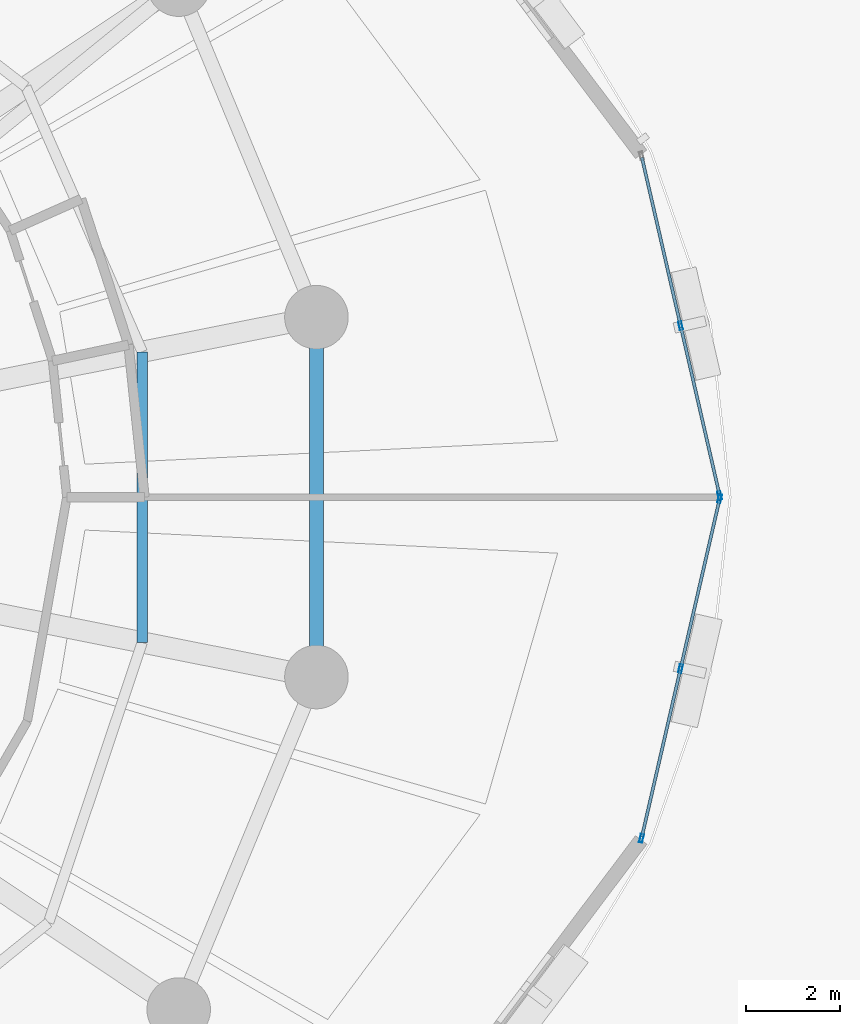
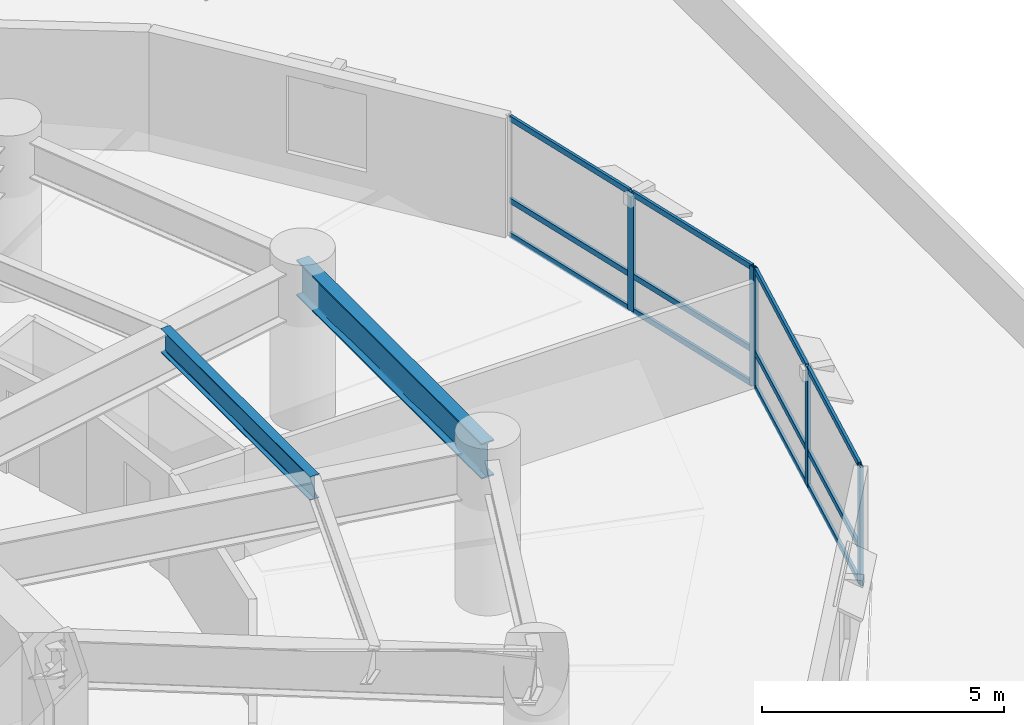
# One storey, part 4 of 15: 17 members, 2 beams, 2 elements without a shape of their own.
"""IFC4 building model written with IfcOpenShell, lengths in metres."""

from ifc_helpers import new_model, si_unit, direction, frame, origin, origin_2d, place, context, subcontext, project, spatial, hollow_rectangle, i_section, extrude, material, layer, layer_set, material_profile, profile_set, type_object, element, aggregate, save


model = new_model("IFC4")

# Units and contexts
model_context = context("Model", 3, precision=1e-05, world=origin(), true_north=direction((0.0, 1.0)))
body_context = subcontext(model_context, "Body", "Model", "MODEL_VIEW")
ifc_project = project(units=[si_unit("LENGTHUNIT", "METRE"), si_unit("AREAUNIT", "SQUARE_METRE"), si_unit("VOLUMEUNIT", "CUBIC_METRE"), si_unit("PLANEANGLEUNIT", "RADIAN"), si_unit("MASSUNIT", "GRAM", prefix="KILO"), si_unit("THERMODYNAMICTEMPERATUREUNIT", "KELVIN"), si_unit("POWERUNIT", "WATT")], contexts=[model_context])

# Site, building, storey
site_placement = place(None, origin())
site = spatial("IfcSite", under=ifc_project, at=site_placement, CompositionType="ELEMENT")
building_placement = place(site_placement, origin())
building = spatial("IfcBuilding", under=site, at=building_placement, Name="Ocrelia Relay Tower", CompositionType="ELEMENT")
storey_placement = place(building_placement, frame((0.0, 0.0, 30.0)))
storey = spatial("IfcBuildingStorey", under=building, at=storey_placement, Name="L06", CompositionType="ELEMENT", Elevation=30.0)

# Beams
ifc_material_1 = material(Name="Steel S355", Category="steel")
ifc_material_profile_1 = material_profile(ifc_material_1, i_section(OverallWidth=0.300048828125, OverallDepth=0.89990234375, WebThickness=0.0185546875, FlangeThickness=0.034912109375, FilletRadius=0.030029296875, at=origin_2d()), Name="HEB 900")
ifc_profile_set_1 = profile_set([ifc_material_profile_1], Name="Steel S355")
beam_type_1 = type_object("IfcBeamType", Name="BM-HEB900", PredefinedType="BEAM", material=ifc_profile_set_1)
beam_1_placement = place(storey_placement, frame((53.223388671875, 22.17626953125, 3.469970703125), z_axis=(0.0, 1.0, 0.0), x_axis=(-1.0, 0.0, 0.0)))
element("IfcBeam", 1, at=beam_1_placement, inside=storey, type_object=beam_type_1, Name="L06 Perimeter Spandrel Beam S16", PredefinedType="BEAM", context=body_context, shape_type="SweptSolid", body=[
    extrude(i_section(OverallWidth=0.300048828125, OverallDepth=0.89990234375, WebThickness=0.0185546875, FlangeThickness=0.034912109375, FilletRadius=0.030029296875, at=origin_2d()), origin(), (0.0, 0.0, 1.0), 7.6474609375),
])
ifc_material_profile_2 = material_profile(ifc_material_1, i_section(OverallWidth=0.219970703125, OverallDepth=0.60009765625, WebThickness=0.011962890625, FlangeThickness=0.01904296875, FilletRadius=0.02392578125, at=origin_2d()), Name="IPE 600")
ifc_profile_set_2 = profile_set([ifc_material_profile_2], Name="Steel S355")
beam_type_2 = type_object("IfcBeamType", Name="BM-IPE600", PredefinedType="JOIST", material=ifc_profile_set_2)
beam_2_placement = place(storey_placement, frame((49.521484375, 22.91259765625, 3.6201171875), z_axis=(0.0, 1.0, 0.0), x_axis=(-1.0, 0.0, 0.0)))
element("IfcBeam", 2, at=beam_2_placement, inside=storey, type_object=beam_type_2, Name="L06 Secondary Floor Joist J16", PredefinedType="JOIST", context=body_context, shape_type="SweptSolid", body=[
    extrude(i_section(OverallWidth=0.219970703125, OverallDepth=0.60009765625, WebThickness=0.011962890625, FlangeThickness=0.01904296875, FilletRadius=0.02392578125, at=origin_2d()), origin(), (0.0, 0.0, 1.0), 6.1748046875),
])

# Curtain wall, members
ifc_material_2 = material(Name="Aluminium and solar-control low-E glass", Category="aluminium")
ifc_layer = layer(ifc_material_2, 0.179931640625, Name="Aluminium and solar-control low-E glass")
ifc_layer_set = layer_set([ifc_layer], Name="Aluminium and solar-control low-E glass")
curtain_wall_type = type_object("IfcCurtainWallType", Name="CW-SYS-Z1-DATA", PredefinedType="NOTDEFINED", material=ifc_layer_set)
curtain_wall_1_placement = place(storey_placement, origin())
curtain_wall_1 = element("IfcCurtainWall", 3, at=curtain_wall_1_placement, inside=storey, type_object=curtain_wall_type, Name="L06 Elliptical Tower Curtain Wall Bay 01", PredefinedType="NOTDEFINED")
ifc_material_3 = material(Name="Anodised bronze aluminium", Category="aluminium")
ifc_material_profile_3 = material_profile(ifc_material_3, hollow_rectangle(XDim=0.070068359375, YDim=0.179931640625, WallThickness=0.006103515625, at=origin_2d()), Name="CW-MUL-180x70")
ifc_profile_set_3 = profile_set([ifc_material_profile_3], Name="Anodised bronze aluminium")
member_type_1 = type_object("IfcMemberType", Name="CW-SYS-Z1-DATA-MUL", PredefinedType="MULLION", material=ifc_profile_set_3)
member_1_placement = place(storey_placement, frame((61.792236328125, 26.0341796875, 0.0), z_axis=(0.0, 0.0, 1.0), x_axis=(-0.974527418542, -0.224268389459, 0.0)))
member_1 = element("IfcMember", 4, at=member_1_placement, type_object=member_type_1, Name="CW-Z1 mullion 1", PredefinedType="MULLION", context=body_context, shape_type="SweptSolid", body=[
    extrude(hollow_rectangle(XDim=0.070068359375, YDim=0.179931640625, WallThickness=0.006103515625, at=origin_2d()), origin(), (0.0, 0.0, 1.0), 3.0),
])
member_2_placement = place(storey_placement, frame((60.961669921875, 29.642578125, 0.0), z_axis=(0.0, 0.0, 1.0), x_axis=(-0.974527418542, -0.224268389459, 0.0)))
member_2 = element("IfcMember", 5, at=member_2_placement, type_object=member_type_1, Name="CW-Z1 mullion 2", PredefinedType="MULLION", context=body_context, shape_type="SweptSolid", body=[
    extrude(hollow_rectangle(XDim=0.070068359375, YDim=0.179931640625, WallThickness=0.006103515625, at=origin_2d()), origin(), (0.0, 0.0, 1.0), 3.0),
])

curtain_wall_2_placement = place(storey_placement, origin())
curtain_wall_2 = element("IfcCurtainWall", 6, at=curtain_wall_2_placement, inside=storey, type_object=curtain_wall_type, Name="L06 Elliptical Tower Curtain Wall Bay 18", PredefinedType="NOTDEFINED")
member_3_placement = place(storey_placement, frame((60.13134765625, 18.7490234375, 0.0), z_axis=(0.0, 0.0, 1.0), x_axis=(-0.974527418542, 0.224268389459, 0.0)))
member_3 = element("IfcMember", 7, at=member_3_placement, type_object=member_type_1, Name="CW-Z1 mullion 1", PredefinedType="MULLION", context=body_context, shape_type="SweptSolid", body=[
    extrude(hollow_rectangle(XDim=0.070068359375, YDim=0.179931640625, WallThickness=0.006103515625, at=origin_2d()), origin(), (0.0, 0.0, 1.0), 3.0),
])
member_4_placement = place(storey_placement, frame((60.961669921875, 22.357421875, 0.0), z_axis=(0.0, 0.0, 1.0), x_axis=(-0.974527418542, 0.224268389459, 0.0)))
member_4 = element("IfcMember", 8, at=member_4_placement, type_object=member_type_1, Name="CW-Z1 mullion 2", PredefinedType="MULLION", context=body_context, shape_type="SweptSolid", body=[
    extrude(hollow_rectangle(XDim=0.070068359375, YDim=0.179931640625, WallThickness=0.006103515625, at=origin_2d()), origin(), (0.0, 0.0, 1.0), 3.0),
])
member_5_placement = place(storey_placement, frame((61.792236328125, 25.9658203125, 0.0), z_axis=(0.0, 0.0, 1.0), x_axis=(-0.974527418542, 0.224268389459, 0.0)))
member_5 = element("IfcMember", 9, at=member_5_placement, type_object=member_type_1, Name="CW-Z1 mullion 3", PredefinedType="MULLION", context=body_context, shape_type="SweptSolid", body=[
    extrude(hollow_rectangle(XDim=0.070068359375, YDim=0.179931640625, WallThickness=0.006103515625, at=origin_2d()), origin(), (0.0, 0.0, 1.0), 3.0),
])

# Member
ifc_material_profile_4 = material_profile(ifc_material_3, hollow_rectangle(XDim=0.06494140625, YDim=0.139892578125, WallThickness=0.0048828125, at=origin_2d()), Name="CW-TRN-140x65")
ifc_profile_set_4 = profile_set([ifc_material_profile_4], Name="Anodised bronze aluminium")
member_type_2 = type_object("IfcMemberType", Name="CW-SYS-Z1-DATA-TRN", PredefinedType="USERDEFINED", material=ifc_profile_set_4)
member_6_placement = place(storey_placement, frame((61.7841796875, 26.068115234375, 0.032470703125), z_axis=(-0.224260666596, 0.974529195775, 0.0), x_axis=(-0.974529195775, -0.224260666596, 0.0)))
member_6 = element("IfcMember", 10, at=member_6_placement, type_object=member_type_2, Name="CW-Z1 transom 1.1", ObjectType="TRANSOM", PredefinedType="USERDEFINED", context=body_context, shape_type="SweptSolid", body=[
    extrude(hollow_rectangle(XDim=0.06494140625, YDim=0.139892578125, WallThickness=0.0048828125, at=origin_2d()), origin(), (0.0, 0.0, 1.0), 3.6328125),
])

member_7_placement = place(storey_placement, frame((61.7841796875, 26.068115234375, 0.89990234375), z_axis=(-0.224260666596, 0.974529195775, 0.0), x_axis=(-0.974529195775, -0.224260666596, 0.0)))
member_7 = element("IfcMember", 11, at=member_7_placement, type_object=member_type_2, Name="CW-Z1 transom 1.2", ObjectType="TRANSOM", PredefinedType="USERDEFINED", context=body_context, shape_type="SweptSolid", body=[
    extrude(hollow_rectangle(XDim=0.06494140625, YDim=0.139892578125, WallThickness=0.0048828125, at=origin_2d()), origin(), (0.0, 0.0, 1.0), 3.6328125),
])

member_8_placement = place(storey_placement, frame((61.7841796875, 26.068115234375, 2.967529296875), z_axis=(-0.224260666596, 0.974529195775, 0.0), x_axis=(-0.974529195775, -0.224260666596, 0.0)))
member_8 = element("IfcMember", 12, at=member_8_placement, type_object=member_type_2, Name="CW-Z1 transom 1.3", ObjectType="TRANSOM", PredefinedType="USERDEFINED", context=body_context, shape_type="SweptSolid", body=[
    extrude(hollow_rectangle(XDim=0.06494140625, YDim=0.139892578125, WallThickness=0.0048828125, at=origin_2d()), origin(), (0.0, 0.0, 1.0), 3.6328125),
])

member_9_placement = place(storey_placement, frame((60.953857421875, 29.676513671875, 0.032470703125), z_axis=(-0.224260666596, 0.974529195775, 0.0), x_axis=(-0.974529195775, -0.224260666596, 0.0)))
member_9 = element("IfcMember", 13, at=member_9_placement, type_object=member_type_2, Name="CW-Z1 transom 2.1", ObjectType="TRANSOM", PredefinedType="USERDEFINED", context=body_context, shape_type="SweptSolid", body=[
    extrude(hollow_rectangle(XDim=0.06494140625, YDim=0.139892578125, WallThickness=0.0048828125, at=origin_2d()), origin(), (0.0, 0.0, 1.0), 3.6328125),
])

member_10_placement = place(storey_placement, frame((60.953857421875, 29.676513671875, 0.89990234375), z_axis=(-0.224260666596, 0.974529195775, 0.0), x_axis=(-0.974529195775, -0.224260666596, 0.0)))
member_10 = element("IfcMember", 14, at=member_10_placement, type_object=member_type_2, Name="CW-Z1 transom 2.2", ObjectType="TRANSOM", PredefinedType="USERDEFINED", context=body_context, shape_type="SweptSolid", body=[
    extrude(hollow_rectangle(XDim=0.06494140625, YDim=0.139892578125, WallThickness=0.0048828125, at=origin_2d()), origin(), (0.0, 0.0, 1.0), 3.6328125),
])

member_11_placement = place(storey_placement, frame((60.953857421875, 29.676513671875, 2.967529296875), z_axis=(-0.224260666596, 0.974529195775, 0.0), x_axis=(-0.974529195775, -0.224260666596, 0.0)))
member_11 = element("IfcMember", 15, at=member_11_placement, type_object=member_type_2, Name="CW-Z1 transom 2.3", ObjectType="TRANSOM", PredefinedType="USERDEFINED", context=body_context, shape_type="SweptSolid", body=[
    extrude(hollow_rectangle(XDim=0.06494140625, YDim=0.139892578125, WallThickness=0.0048828125, at=origin_2d()), origin(), (0.0, 0.0, 1.0), 3.6328125),
])

aggregate(curtain_wall_1, [member_1, member_2, member_6, member_7, member_8, member_9, member_10, member_11])

member_12_placement = place(storey_placement, frame((60.13916015625, 18.783203125, 0.032470703125), z_axis=(0.224260666596, 0.974529195775, 0.0), x_axis=(-0.974529195775, 0.224260666596, 0.0)))
member_12 = element("IfcMember", 16, at=member_12_placement, type_object=member_type_2, Name="CW-Z1 transom 1.1", ObjectType="TRANSOM", PredefinedType="USERDEFINED", context=body_context, shape_type="SweptSolid", body=[
    extrude(hollow_rectangle(XDim=0.06494140625, YDim=0.139892578125, WallThickness=0.0048828125, at=origin_2d()), origin(), (0.0, 0.0, 1.0), 3.6328125),
])

member_13_placement = place(storey_placement, frame((60.13916015625, 18.783203125, 0.89990234375), z_axis=(0.224260666596, 0.974529195775, 0.0), x_axis=(-0.974529195775, 0.224260666596, 0.0)))
member_13 = element("IfcMember", 17, at=member_13_placement, type_object=member_type_2, Name="CW-Z1 transom 1.2", ObjectType="TRANSOM", PredefinedType="USERDEFINED", context=body_context, shape_type="SweptSolid", body=[
    extrude(hollow_rectangle(XDim=0.06494140625, YDim=0.139892578125, WallThickness=0.0048828125, at=origin_2d()), origin(), (0.0, 0.0, 1.0), 3.6328125),
])

member_14_placement = place(storey_placement, frame((60.13916015625, 18.783203125, 2.967529296875), z_axis=(0.224260666596, 0.974529195775, 0.0), x_axis=(-0.974529195775, 0.224260666596, 0.0)))
member_14 = element("IfcMember", 18, at=member_14_placement, type_object=member_type_2, Name="CW-Z1 transom 1.3", ObjectType="TRANSOM", PredefinedType="USERDEFINED", context=body_context, shape_type="SweptSolid", body=[
    extrude(hollow_rectangle(XDim=0.06494140625, YDim=0.139892578125, WallThickness=0.0048828125, at=origin_2d()), origin(), (0.0, 0.0, 1.0), 3.6328125),
])

member_15_placement = place(storey_placement, frame((60.969482421875, 22.3916015625, 0.032470703125), z_axis=(0.224260666596, 0.974529195775, 0.0), x_axis=(-0.974529195775, 0.224260666596, 0.0)))
member_15 = element("IfcMember", 19, at=member_15_placement, type_object=member_type_2, Name="CW-Z1 transom 2.1", ObjectType="TRANSOM", PredefinedType="USERDEFINED", context=body_context, shape_type="SweptSolid", body=[
    extrude(hollow_rectangle(XDim=0.06494140625, YDim=0.139892578125, WallThickness=0.0048828125, at=origin_2d()), origin(), (0.0, 0.0, 1.0), 3.6328125),
])

member_16_placement = place(storey_placement, frame((60.969482421875, 22.3916015625, 0.89990234375), z_axis=(0.224260666596, 0.974529195775, 0.0), x_axis=(-0.974529195775, 0.224260666596, 0.0)))
member_16 = element("IfcMember", 20, at=member_16_placement, type_object=member_type_2, Name="CW-Z1 transom 2.2", ObjectType="TRANSOM", PredefinedType="USERDEFINED", context=body_context, shape_type="SweptSolid", body=[
    extrude(hollow_rectangle(XDim=0.06494140625, YDim=0.139892578125, WallThickness=0.0048828125, at=origin_2d()), origin(), (0.0, 0.0, 1.0), 3.6328125),
])

member_17_placement = place(storey_placement, frame((60.969482421875, 22.3916015625, 2.967529296875), z_axis=(0.224260666596, 0.974529195775, 0.0), x_axis=(-0.974529195775, 0.224260666596, 0.0)))
member_17 = element("IfcMember", 21, at=member_17_placement, type_object=member_type_2, Name="CW-Z1 transom 2.3", ObjectType="TRANSOM", PredefinedType="USERDEFINED", context=body_context, shape_type="SweptSolid", body=[
    extrude(hollow_rectangle(XDim=0.06494140625, YDim=0.139892578125, WallThickness=0.0048828125, at=origin_2d()), origin(), (0.0, 0.0, 1.0), 3.6328125),
])

aggregate(curtain_wall_2, [member_3, member_4, member_5, member_12, member_13, member_14, member_15, member_16, member_17])

save(model, "model.ifc")
